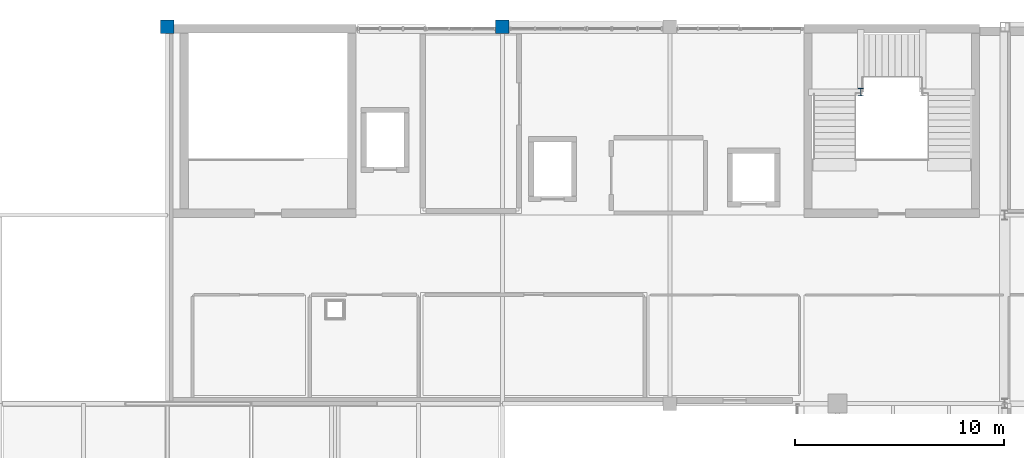
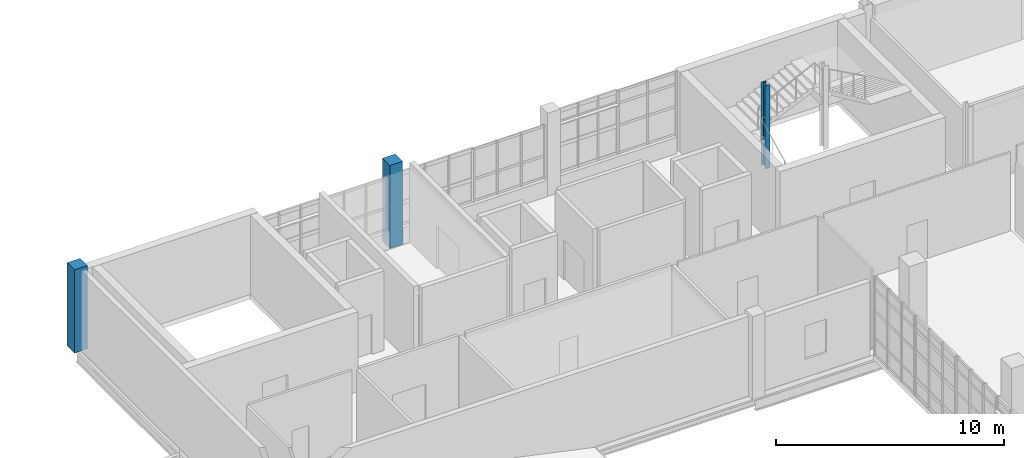
# One storey, part 5 of 38: 3 columns.
"""IFC4 building model written with IfcOpenShell, lengths in metres."""

from ifc_helpers import new_model, si_unit, derived_unit, direction, frame, origin, origin_2d, place, context, subcontext, project, spatial, rectangle, i_section, extrude, material, material_profile, profile_set, type_object, element, save


model = new_model("IFC4")

# Units and contexts
model_context = context("Model", 3, precision=1e-05, world=origin(), true_north=direction((0.0, 1.0)))
body_context = subcontext(model_context, "Body", "Model", "MODEL_VIEW")
ifc_project = project(units=[si_unit("LENGTHUNIT", "METRE"), si_unit("AREAUNIT", "SQUARE_METRE"), si_unit("VOLUMEUNIT", "CUBIC_METRE"), si_unit("PLANEANGLEUNIT", "RADIAN"), si_unit("MASSUNIT", "GRAM", prefix="KILO"), derived_unit("THERMALTRANSMITTANCEUNIT", [(si_unit("POWERUNIT", "WATT"), 1), (si_unit("LENGTHUNIT", "METRE"), -2), (si_unit("THERMODYNAMICTEMPERATUREUNIT", "KELVIN"), -1)])], contexts=[model_context])

# Site, building, storey
site_placement = place(None, origin())
site = spatial("IfcSite", under=ifc_project, at=site_placement, CompositionType="ELEMENT")
building_placement = place(site_placement, origin())
building = spatial("IfcBuilding", under=site, at=building_placement, Name="Nallur Shell Playhouse", CompositionType="ELEMENT")
storey_placement = place(building_placement, frame((0.0, 0.0, 24.300048828125)))
storey = spatial("IfcBuildingStorey", under=building, at=storey_placement, Name="L06", CompositionType="ELEMENT", Elevation=24.300048828125)

# Columns
ifc_material_1 = material(Name="Concrete M35", Category="concrete")
ifc_material_profile_1 = material_profile(ifc_material_1, rectangle(XDim=0.64990234375, YDim=0.64990234375, at=origin_2d()), Name="RC 650x650")
ifc_profile_set_1 = profile_set([ifc_material_profile_1], Name="Concrete M35")
column_type_1 = type_object("IfcColumnType", Name="CL-RC-650", PredefinedType="COLUMN", material=ifc_profile_set_1)
for number, where, z_axis, x_axis, name in (
    (1, (24.0, 83.0, 0.0), (0.0, 0.0, 1.0), (1.0, 0.0, 0.0), "Column 3-K (L06)"),
    (2, (40.0, 83.0, 0.0), (0.0, 0.0, 1.0), (1.0, 0.0, 0.0), "Column 5-K (L06)"),
):
    element("IfcColumn", number, at=place(storey_placement, frame(where, z_axis=z_axis, x_axis=x_axis)), inside=storey, type_object=column_type_1, Name=name, PredefinedType="COLUMN", context=body_context, shape_type="SweptSolid", body=[
        extrude(rectangle(XDim=0.64990234375, YDim=0.64990234375, at=origin_2d()), origin(), (0.0, 0.0, 1.0), 4.4599609375),
    ])
ifc_material_2 = material(Name="Steel E350", Category="steel")
ifc_material_profile_2 = material_profile(ifc_material_2, i_section(OverallWidth=0.25, OverallDepth=0.35009765625, WebThickness=0.010009765625, FlangeThickness=0.01171875, FilletRadius=0.011962890625, at=origin_2d()), Name="ISHB 350")
ifc_profile_set_2 = profile_set([ifc_material_profile_2], Name="Steel E350")
column_type_2 = type_object("IfcColumnType", Name="CL-ST-ISHB350", PredefinedType="COLUMN", material=ifc_profile_set_2)
column_placement = place(storey_placement, frame((57.1201171875, 79.8798828125, 0.0), z_axis=(0.0, 0.0, 1.0), x_axis=(1.0, 0.0, 0.0)))
element("IfcColumn", 3, at=column_placement, inside=storey, type_object=column_type_2, Name="Column STW-JC-3-W (L06)", PredefinedType="COLUMN", context=body_context, shape_type="SweptSolid", body=[
    extrude(i_section(OverallWidth=0.25, OverallDepth=0.35009765625, WebThickness=0.010009765625, FlangeThickness=0.01171875, FilletRadius=0.011962890625, at=origin_2d()), origin(), (0.0, 0.0, 1.0), 4.4599609375),
])

save(model, "model.ifc")
